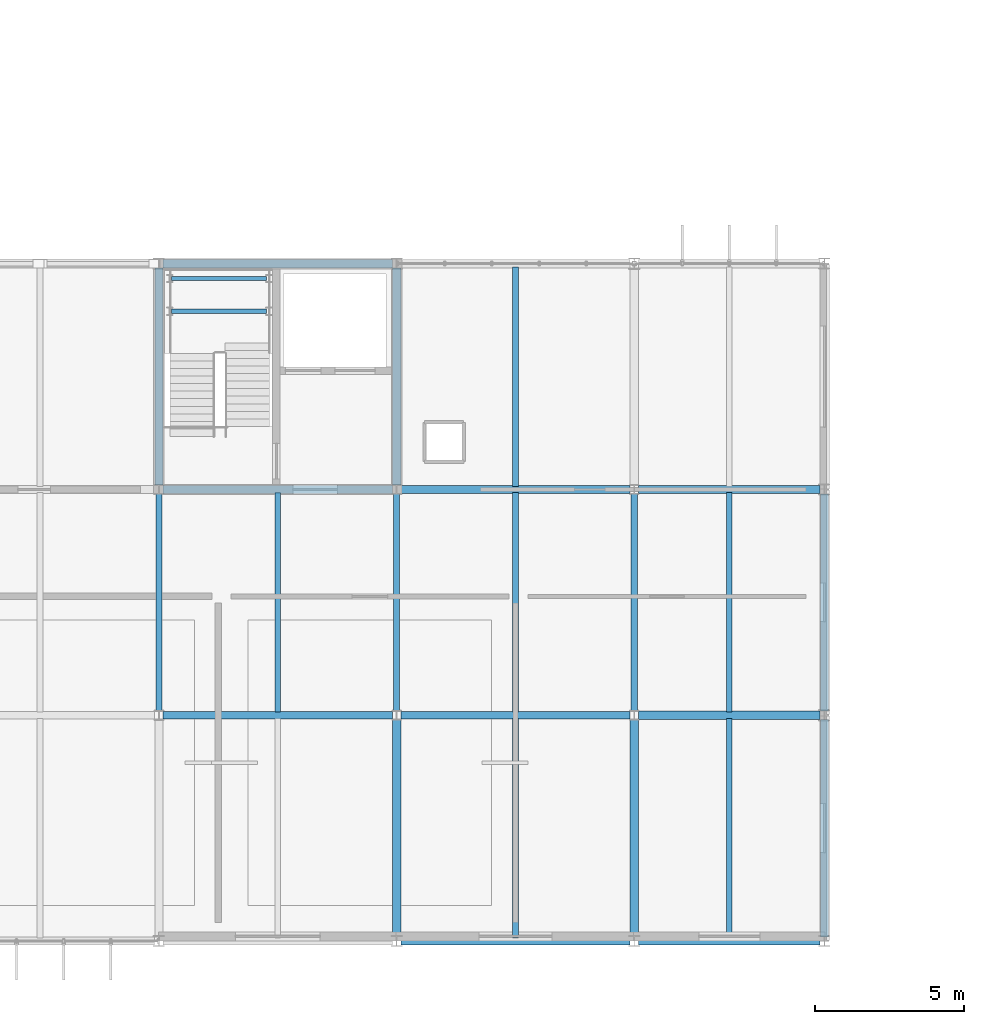
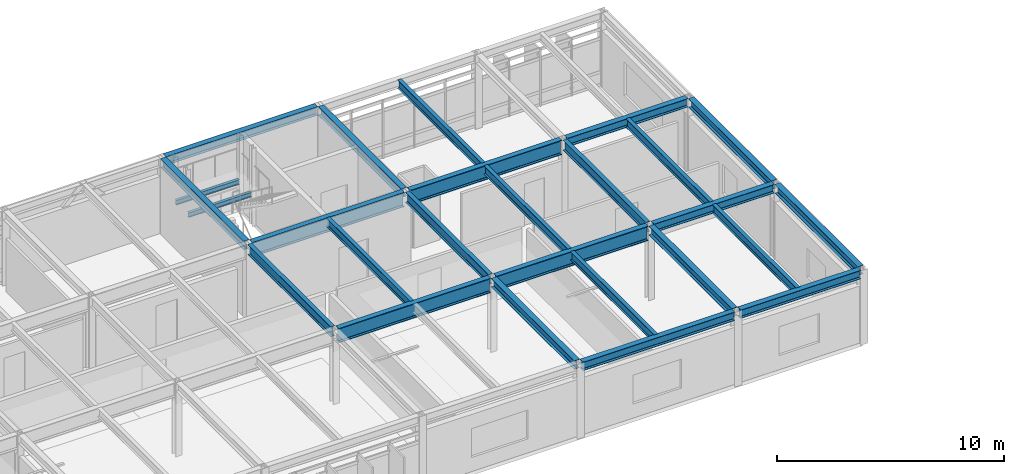
# One storey, part 17 of 33: 26 beams.
"""IFC4 building model written with IfcOpenShell, lengths in metres."""

from ifc_helpers import new_model, si_unit, direction, frame, origin, origin_2d, place, context, subcontext, project, spatial, i_section, extrude, material, material_profile, profile_set, type_object, element, save


model = new_model("IFC4")

# Units and contexts
model_context = context("Model", 3, precision=1e-05, world=origin(), true_north=direction((0.0, 1.0)))
body_context = subcontext(model_context, "Body", "Model", "MODEL_VIEW")
ifc_project = project(units=[si_unit("LENGTHUNIT", "METRE"), si_unit("AREAUNIT", "SQUARE_METRE"), si_unit("VOLUMEUNIT", "CUBIC_METRE"), si_unit("PLANEANGLEUNIT", "RADIAN"), si_unit("MASSUNIT", "GRAM", prefix="KILO")], contexts=[model_context])

# Site, building, storey
site_placement = place(None, origin())
site = spatial("IfcSite", under=ifc_project, at=site_placement, CompositionType="ELEMENT")
building_placement = place(site_placement, origin())
building = spatial("IfcBuilding", under=site, at=building_placement, Name="Zulena Civic Courthouse", CompositionType="ELEMENT")
storey_placement = place(building_placement, frame((0.0, 0.0, 33.60009765625)))
storey = spatial("IfcBuildingStorey", under=building, at=storey_placement, Name="L07", CompositionType="ELEMENT", Elevation=33.60009765625)

# Beams
ifc_material = material(Name="Steel ASTM A992 Grade 50", Category="steel")
ifc_material_profile_1 = material_profile(ifc_material, i_section(OverallWidth=0.2099609375, OverallDepth=0.537109375, WebThickness=0.010986328125, FlangeThickness=0.017333984375, FilletRadius=0.0126953125, at=origin_2d()), Name="W21X68")
ifc_profile_set_1 = profile_set([ifc_material_profile_1], Name="Steel ASTM A992 Grade 50")
beam_type_1 = type_object("IfcBeamType", Name="Girder_W21X68", PredefinedType="BEAM", material=ifc_profile_set_1)
for number, where, z_axis, x_axis, name in (
    (1, (44.0, 7.7451171875, 3.7314453125), (0.0, 1.0, 0.0), (-1.0, 0.0, 0.0), "beam:Y:V2:L07:44.0:7.6_15.2"),
    (2, (52.0, 7.7451171875, 3.7314453125), (0.0, 1.0, 0.0), (-1.0, 0.0, 0.0), "beam:Y:V2:L07:52.0:7.6_15.2"),
    (3, (60.0, 7.7451171875, 3.7314453125), (0.0, 1.0, 0.0), (-1.0, 0.0, 0.0), "beam:Y:V2:L07:60.0:7.6_15.2"),
):
    element("IfcBeam", number, at=place(storey_placement, frame(where, z_axis=z_axis, x_axis=x_axis)), inside=storey, type_object=beam_type_1, Name=name, PredefinedType="BEAM", context=body_context, shape_type="SweptSolid", body=[
        extrude(i_section(OverallWidth=0.2099609375, OverallDepth=0.537109375, WebThickness=0.010986328125, FlangeThickness=0.017333984375, FilletRadius=0.0126953125, at=origin_2d()), origin(), (0.0, 0.0, 1.0), 7.309814453125),
    ])
ifc_material_profile_2 = material_profile(ifc_material, i_section(OverallWidth=0.26611328125, OverallDepth=0.779052734375, WebThickness=0.0166015625, FlangeThickness=0.030029296875, FilletRadius=0.0166015625, at=origin_2d()), Name="W30X148")
ifc_profile_set_2 = profile_set([ifc_material_profile_2], Name="Steel ASTM A992 Grade 50")
beam_type_2 = type_object("IfcBeamType", Name="Girder_W30X148", PredefinedType="BEAM", material=ifc_profile_set_2)
for number, where, z_axis, x_axis, name in (
    (4, (44.14501953125, 7.60009765625, 3.6103515625), (1.0, 0.0, 0.0), (0.0, 1.0, 0.0), "beam:X:V2:L07:7.6:44.0_52.0"),
    (5, (52.14501953125, 7.60009765625, 3.6103515625), (1.0, 0.0, 0.0), (0.0, 1.0, 0.0), "beam:X:V2:L07:7.6:52.0_60.0"),
    (6, (44.14501953125, 15.199951171875, 3.6103515625), (1.0, 0.0, 0.0), (0.0, 1.0, 0.0), "beam:X:V2:L07:15.2:44.0_52.0"),
    (7, (52.14501953125, 15.199951171875, 3.6103515625), (1.0, 0.0, 0.0), (0.0, 1.0, 0.0), "beam:X:V2:L07:15.2:52.0_60.0"),
):
    element("IfcBeam", number, at=place(storey_placement, frame(where, z_axis=z_axis, x_axis=x_axis)), inside=storey, type_object=beam_type_2, Name=name, PredefinedType="BEAM", context=body_context, shape_type="SweptSolid", body=[
        extrude(i_section(OverallWidth=0.26611328125, OverallDepth=0.779052734375, WebThickness=0.0166015625, FlangeThickness=0.030029296875, FilletRadius=0.0166015625, at=origin_2d()), origin(), (0.0, 0.0, 1.0), 7.7099609375),
    ])
ifc_material_profile_3 = material_profile(ifc_material, i_section(OverallWidth=0.14599609375, OverallDepth=0.258056640625, WebThickness=0.006103515625, FlangeThickness=0.009033203125, FilletRadius=0.007568359375, at=origin_2d()), Name="W10X22")
ifc_profile_set_3 = profile_set([ifc_material_profile_3], Name="Steel ASTM A992 Grade 50")
beam_type_3 = type_object("IfcBeamType", Name="Joist_W10X22", PredefinedType="JOIST", material=ifc_profile_set_3)
for number, where, z_axis, x_axis, name in (
    (8, (44.419921875, 21.199951171875, 1.69091796875), (1.0, 0.0, 0.0), (0.0, 1.0, 0.0), "beam:lnd:K2B:L07:0"),
    (9, (44.419921875, 22.300048828125, 1.69091796875), (1.0, 0.0, 0.0), (0.0, 1.0, 0.0), "beam:lnd:K2B:L07:1"),
):
    element("IfcBeam", number, at=place(storey_placement, frame(where, z_axis=z_axis, x_axis=x_axis)), inside=storey, type_object=beam_type_3, Name=name, PredefinedType="JOIST", context=body_context, shape_type="SweptSolid", body=[
        extrude(i_section(OverallWidth=0.14599609375, OverallDepth=0.258056640625, WebThickness=0.006103515625, FlangeThickness=0.009033203125, FilletRadius=0.007568359375, at=origin_2d()), origin(), (0.0, 0.0, 1.0), 3.2001953125),
    ])
ifc_material_profile_4 = material_profile(ifc_material, i_section(OverallWidth=0.19091796875, OverallDepth=0.4599609375, WebThickness=0.010009765625, FlangeThickness=0.01611328125, FilletRadius=0.01025390625, at=origin_2d()), Name="W18X55")
ifc_profile_set_4 = profile_set([ifc_material_profile_4], Name="Steel ASTM A992 Grade 50")
beam_type_4 = type_object("IfcBeamType", Name="Joist_W18X55", PredefinedType="JOIST", material=ifc_profile_set_4)
beam_1_placement = place(storey_placement, frame((48.0, 7.705078125, 3.77001953125), z_axis=(0.0, 1.0, 0.0), x_axis=(-1.0, 0.0, 0.0)))
element("IfcBeam", 10, at=beam_1_placement, inside=storey, type_object=beam_type_4, Name="joist:V2:L07:48.00:7.6_15.2", PredefinedType="JOIST", context=body_context, shape_type="SweptSolid", body=[
    extrude(i_section(OverallWidth=0.19091796875, OverallDepth=0.4599609375, WebThickness=0.010009765625, FlangeThickness=0.01611328125, FilletRadius=0.01025390625, at=origin_2d()), origin(), (0.0, 0.0, 1.0), 7.389892578125),
])
beam_2_placement = place(storey_placement, frame((56.0, 0.10498046875, 3.77001953125), z_axis=(0.0, 1.0, 0.0), x_axis=(-1.0, 0.0, 0.0)))
element("IfcBeam", 11, at=beam_2_placement, inside=storey, type_object=beam_type_4, Name="joist:V2:L07:56.00:0.0_7.6", PredefinedType="JOIST", context=body_context, shape_type="SweptSolid", body=[
    extrude(i_section(OverallWidth=0.19091796875, OverallDepth=0.4599609375, WebThickness=0.010009765625, FlangeThickness=0.01611328125, FilletRadius=0.01025390625, at=origin_2d()), origin(), (0.0, 0.0, 1.0), 7.39013671875),
])
beam_3_placement = place(storey_placement, frame((56.0, 7.705078125, 3.77001953125), z_axis=(0.0, 1.0, 0.0), x_axis=(-1.0, 0.0, 0.0)))
element("IfcBeam", 12, at=beam_3_placement, inside=storey, type_object=beam_type_4, Name="joist:V2:L07:56.00:7.6_15.2", PredefinedType="JOIST", context=body_context, shape_type="SweptSolid", body=[
    extrude(i_section(OverallWidth=0.19091796875, OverallDepth=0.4599609375, WebThickness=0.010009765625, FlangeThickness=0.01611328125, FilletRadius=0.01025390625, at=origin_2d()), origin(), (0.0, 0.0, 1.0), 7.389892578125),
])
for number, where, z_axis, x_axis, name in (
    (13, (56.0, 15.304931640625, 3.77001953125), (0.0, 1.0, 0.0), (-1.0, 0.0, 0.0), "joist:V2:L07:56.00:15.2_22.8"),
    (14, (63.199951171875, 0.10498046875, 3.77001953125), (0.0, 1.0, 0.0), (-1.0, 0.0, 0.0), "joist:V2:L07:63.20:0.0_7.6"),
):
    element("IfcBeam", number, at=place(storey_placement, frame(where, z_axis=z_axis, x_axis=x_axis)), inside=storey, type_object=beam_type_4, Name=name, PredefinedType="JOIST", context=body_context, shape_type="SweptSolid", body=[
        extrude(i_section(OverallWidth=0.19091796875, OverallDepth=0.4599609375, WebThickness=0.010009765625, FlangeThickness=0.01611328125, FilletRadius=0.01025390625, at=origin_2d()), origin(), (0.0, 0.0, 1.0), 7.39013671875),
    ])
beam_4_placement = place(storey_placement, frame((63.199951171875, 7.705078125, 3.77001953125), z_axis=(0.0, 1.0, 0.0), x_axis=(-1.0, 0.0, 0.0)))
element("IfcBeam", 15, at=beam_4_placement, inside=storey, type_object=beam_type_4, Name="joist:V2:L07:63.20:7.6_15.2", PredefinedType="JOIST", context=body_context, shape_type="SweptSolid", body=[
    extrude(i_section(OverallWidth=0.19091796875, OverallDepth=0.4599609375, WebThickness=0.010009765625, FlangeThickness=0.01611328125, FilletRadius=0.01025390625, at=origin_2d()), origin(), (0.0, 0.0, 1.0), 7.389892578125),
])
ifc_material_profile_5 = material_profile(ifc_material, i_section(OverallWidth=0.280029296875, OverallDepth=0.462890625, WebThickness=0.0107421875, FlangeThickness=0.017333984375, FilletRadius=0.01025390625, at=origin_2d()), Name="W18X76")
ifc_profile_set_5 = profile_set([ifc_material_profile_5], Name="Steel ASTM A992 Grade 50")
beam_type_5 = type_object("IfcBeamType", Name="Spandrel_W18X76", PredefinedType="SPANDREL", material=ifc_profile_set_5)
beam_5_placement = place(storey_placement, frame((52.14501953125, 0.0, 3.768310546875), z_axis=(1.0, 0.0, 0.0), x_axis=(0.0, 1.0, 0.0)))
element("IfcBeam", 16, at=beam_5_placement, inside=storey, type_object=beam_type_5, Name="beam:X:V2:L07:0.0:52.0_60.0", PredefinedType="SPANDREL", context=body_context, shape_type="SweptSolid", body=[
    extrude(i_section(OverallWidth=0.280029296875, OverallDepth=0.462890625, WebThickness=0.0107421875, FlangeThickness=0.017333984375, FilletRadius=0.01025390625, at=origin_2d()), origin(), (0.0, 0.0, 1.0), 7.7099609375),
])
for number, where, z_axis, x_axis, name in (
    (17, (60.14501953125, 0.0, 3.768310546875), (1.0, 0.0, 0.0), (0.0, 1.0, 0.0), "beam:X:V2:L07:0.0:60.0_66.4"),
    (18, (60.14501953125, 7.60009765625, 3.768310546875), (1.0, 0.0, 0.0), (0.0, 1.0, 0.0), "beam:X:V2:L07:7.6:60.0_66.4"),
    (19, (60.14501953125, 15.199951171875, 3.768310546875), (1.0, 0.0, 0.0), (0.0, 1.0, 0.0), "beam:X:V2:L07:15.2:60.0_66.4"),
):
    element("IfcBeam", number, at=place(storey_placement, frame(where, z_axis=z_axis, x_axis=x_axis)), inside=storey, type_object=beam_type_5, Name=name, PredefinedType="SPANDREL", context=body_context, shape_type="SweptSolid", body=[
        extrude(i_section(OverallWidth=0.280029296875, OverallDepth=0.462890625, WebThickness=0.0107421875, FlangeThickness=0.017333984375, FilletRadius=0.01025390625, at=origin_2d()), origin(), (0.0, 0.0, 1.0), 6.10986328125),
    ])
beam_6_placement = place(storey_placement, frame((44.14501953125, 22.800048828125, 3.768310546875), z_axis=(1.0, 0.0, 0.0), x_axis=(0.0, 1.0, 0.0)))
element("IfcBeam", 20, at=beam_6_placement, inside=storey, type_object=beam_type_5, Name="beam:X:V2:L07:22.8:44.0_52.0", PredefinedType="SPANDREL", context=body_context, shape_type="SweptSolid", body=[
    extrude(i_section(OverallWidth=0.280029296875, OverallDepth=0.462890625, WebThickness=0.0107421875, FlangeThickness=0.017333984375, FilletRadius=0.01025390625, at=origin_2d()), origin(), (0.0, 0.0, 1.0), 7.7099609375),
])
for number, where, z_axis, x_axis, name in (
    (21, (44.0, 15.344970703125, 3.768310546875), (0.0, 1.0, 0.0), (-1.0, 0.0, 0.0), "beam:Y:V2:L07:44.0:15.2_22.8"),
    (22, (52.0, 0.14501953125, 3.768310546875), (0.0, 1.0, 0.0), (-1.0, 0.0, 0.0), "beam:Y:V2:L07:52.0:0.0_7.6"),
    (23, (52.0, 15.344970703125, 3.768310546875), (0.0, 1.0, 0.0), (-1.0, 0.0, 0.0), "beam:Y:V2:L07:52.0:15.2_22.8"),
    (24, (60.0, 0.14501953125, 3.768310546875), (0.0, 1.0, 0.0), (-1.0, 0.0, 0.0), "beam:Y:V2:L07:60.0:0.0_7.6"),
    (25, (66.39990234375, 0.14501953125, 3.768310546875), (0.0, 1.0, 0.0), (-1.0, 0.0, 0.0), "beam:Y:V2:L07:66.4:0.0_7.6"),
):
    element("IfcBeam", number, at=place(storey_placement, frame(where, z_axis=z_axis, x_axis=x_axis)), inside=storey, type_object=beam_type_5, Name=name, PredefinedType="SPANDREL", context=body_context, shape_type="SweptSolid", body=[
        extrude(i_section(OverallWidth=0.280029296875, OverallDepth=0.462890625, WebThickness=0.0107421875, FlangeThickness=0.017333984375, FilletRadius=0.01025390625, at=origin_2d()), origin(), (0.0, 0.0, 1.0), 7.31005859375),
    ])
beam_7_placement = place(storey_placement, frame((66.39990234375, 7.7451171875, 3.768310546875), z_axis=(0.0, 1.0, 0.0), x_axis=(-1.0, 0.0, 0.0)))
element("IfcBeam", 26, at=beam_7_placement, inside=storey, type_object=beam_type_5, Name="beam:Y:V2:L07:66.4:7.6_15.2", PredefinedType="SPANDREL", context=body_context, shape_type="SweptSolid", body=[
    extrude(i_section(OverallWidth=0.280029296875, OverallDepth=0.462890625, WebThickness=0.0107421875, FlangeThickness=0.017333984375, FilletRadius=0.01025390625, at=origin_2d()), origin(), (0.0, 0.0, 1.0), 7.309814453125),
])

save(model, "model.ifc")
